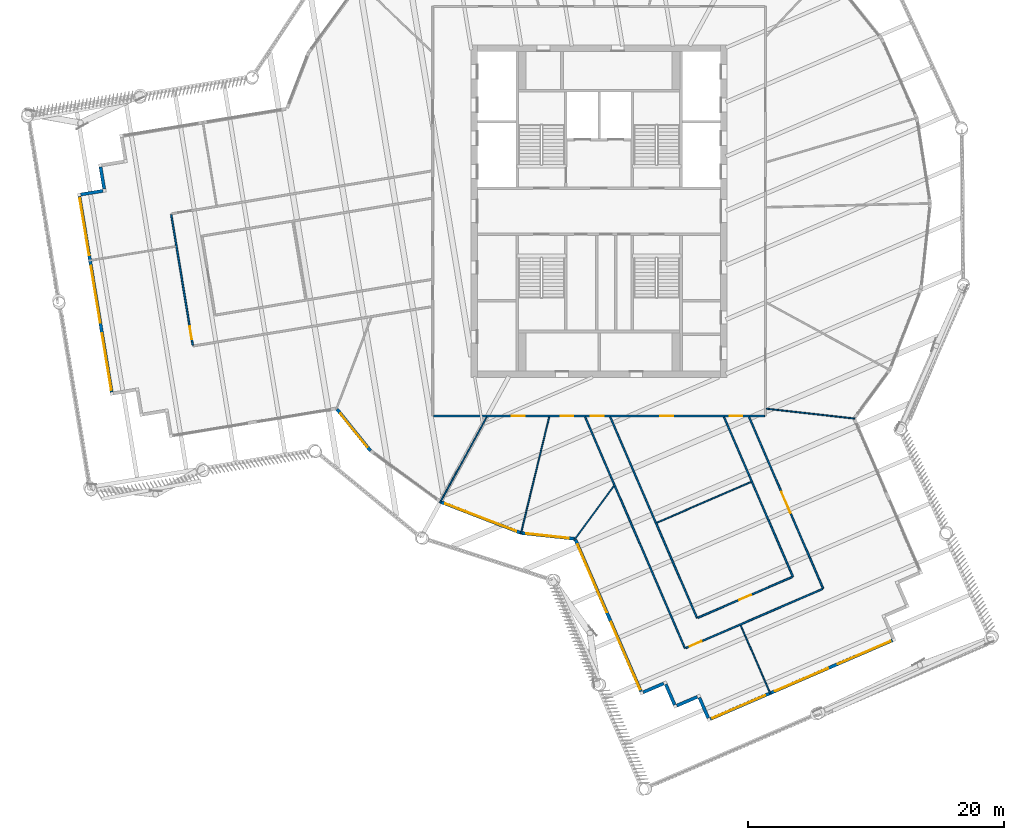
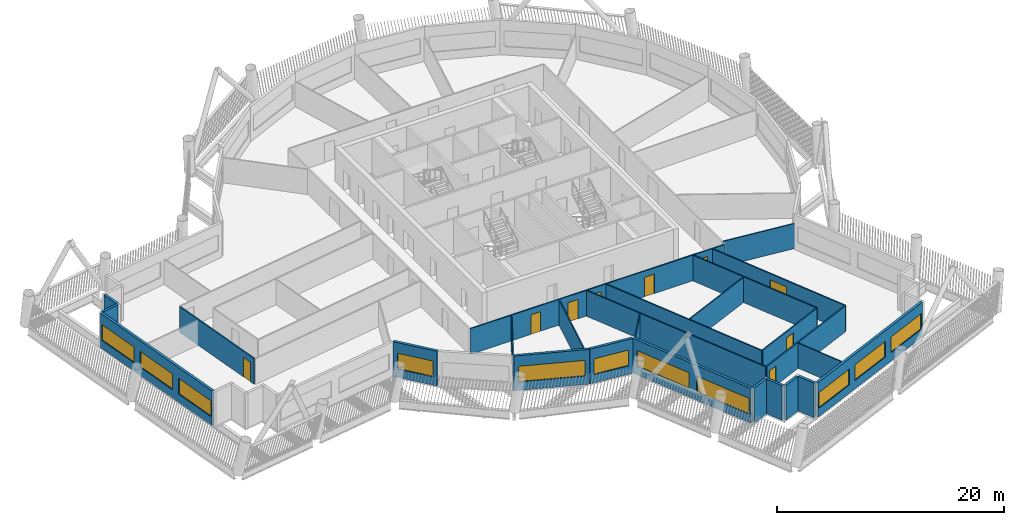
# One storey, part 3 of 23: 26 walls, 11 windows, 9 doors, 20 openings.
"""IFC4 building model written with IfcOpenShell, lengths in metres."""

from ifc_helpers import new_model, si_unit, direction, frame, frame_2d, origin, place, context, subcontext, project, spatial, rectangle, extrude, material, layer, layer_set, type_object, element, fill, save


model = new_model("IFC4")

# Units and contexts
model_context = context("Model", 3, precision=1e-05, world=origin(), true_north=direction((0.0, 1.0)))
body_context = subcontext(model_context, "Body", "Model", "MODEL_VIEW")
ifc_project = project(units=[si_unit("LENGTHUNIT", "METRE"), si_unit("AREAUNIT", "SQUARE_METRE"), si_unit("VOLUMEUNIT", "CUBIC_METRE"), si_unit("PLANEANGLEUNIT", "RADIAN"), si_unit("MASSUNIT", "GRAM", prefix="KILO")], contexts=[model_context])

# Site, building, storey
site_placement = place(None, origin())
site = spatial("IfcSite", under=ifc_project, at=site_placement, CompositionType="ELEMENT")
building_placement = place(site_placement, origin())
building = spatial("IfcBuilding", under=site, at=building_placement, Name="Tarsis Ring Headquarters", CompositionType="ELEMENT")
storey_placement = place(building_placement, frame((0.0, 0.0, 323.60009765625)))
storey = spatial("IfcBuildingStorey", under=building, at=storey_placement, Name="L76", CompositionType="ELEMENT", Elevation=323.60009765625)

# Walls
ifc_material_1 = material(Name="Gypsum board on steel studs", Category="steel")
ifc_layer_1 = layer(ifc_material_1, 0.10009765625)
ifc_layer_set_1 = layer_set([ifc_layer_1], Name="FL partition 100 unrated")
wall_type_1 = type_object("IfcWallType", Name="FL partition 100 unrated", PredefinedType="PARTITIONING", material=ifc_layer_set_1)
wall_1_placement = place(storey_placement, frame((-6.118896484375, -25.216064453125, 0.0), z_axis=(0.0, 0.0, 1.0), x_axis=(0.235804894507, 0.971800417641, 0.0)))
element("IfcWall", 1, at=wall_1_placement, inside=storey, type_object=wall_type_1, Name="Partition PW3", PredefinedType="PARTITIONING", context=body_context, shape_type="SweptSolid", body=[
    extrude(rectangle(XDim=9.413330078125, YDim=0.10009765625, at=frame_2d((4.70654296875, 0.0))), origin(), (0.0, 0.0, 1.0), 2.699951171875),
])
wall_2_placement = place(storey_placement, frame((4.509521484375, -24.3369140625, 0.0), z_axis=(0.0, 0.0, 1.0), x_axis=(0.918032889927, 0.39650424085, 0.0)))
element("IfcWall", 2, at=wall_2_placement, inside=storey, type_object=wall_type_1, Name="Partition PW3", PredefinedType="PARTITIONING", context=body_context, shape_type="SweptSolid", body=[
    extrude(rectangle(XDim=8.02001953125, YDim=0.10009765625, at=frame_2d((4.010009765625, 0.0))), origin(), (0.0, 0.0, 1.0), 2.699951171875),
])
wall_3_placement = place(storey_placement, frame((-12.43701171875, -22.773193359375, 0.0), z_axis=(0.0, 0.0, 1.0), x_axis=(0.479325254836, 0.877637339723, 0.0)))
element("IfcWall", 3, at=wall_3_placement, inside=storey, type_object=wall_type_1, Name="Partition PW3", PredefinedType="PARTITIONING", context=body_context, shape_type="SweptSolid", body=[
    extrude(rectangle(XDim=7.62744140625, YDim=0.10009765625, at=frame_2d((3.813720703125, 0.0))), origin(), (0.0, 0.0, 1.0), 2.699951171875),
])
wall_4_placement = place(storey_placement, frame((13.06982421875, -15.430419921875, 0.0), z_axis=(0.0, 0.0, 1.0), x_axis=(0.993787141533, -0.111297427304, 0.0)))
element("IfcWall", 4, at=wall_4_placement, inside=storey, type_object=wall_type_1, Name="Partition PW3", PredefinedType="PARTITIONING", context=body_context, shape_type="SweptSolid", body=[
    extrude(rectangle(XDim=6.96240234375, YDim=0.10009765625, at=frame_2d((3.481201171875, 0.0))), origin(), (0.0, 0.0, 1.0), 2.699951171875),
])
wall_5_placement = place(storey_placement, frame((11.06591796875, -32.3544921875, 0.0), z_axis=(0.0, 0.0, 1.0), x_axis=(0.396517420299, -0.918027197527, 0.0)))
element("IfcWall", 5, at=wall_5_placement, inside=storey, type_object=wall_type_1, Name="Partition PW3", PredefinedType="PARTITIONING", context=body_context, shape_type="SweptSolid", body=[
    extrude(rectangle(XDim=5.859619140625, YDim=0.10009765625, at=frame_2d((2.9296875, 0.0))), origin(), (0.0, 0.0, 1.0), 2.699951171875),
])
wall_6_placement = place(storey_placement, frame((-1.915283203125, -25.640380859375, 0.0), z_axis=(0.0, 0.0, 1.0), x_axis=(0.593260262579, 0.80501072095, 0.0)))
element("IfcWall", 6, at=wall_6_placement, inside=storey, type_object=wall_type_1, Name="Partition PW3", PredefinedType="PARTITIONING", context=body_context, shape_type="SweptSolid", body=[
    extrude(rectangle(XDim=5.168701171875, YDim=0.10009765625, at=frame_2d((2.58447265625, 0.0))), origin(), (0.0, 0.0, 1.0), 2.699951171875),
])

# Wall, openings, doors
ifc_layer_2 = layer(ifc_material_1, 0.125)
ifc_layer_set_2 = layer_set([ifc_layer_2], Name="FL partition 125 EI 60 H2770")
wall_type_2 = type_object("IfcWallType", Name="FL partition 125 EI 60 H2770", PredefinedType="PARTITIONING", material=ifc_layer_set_2)
wall_7_placement = place(storey_placement, frame((-12.93994140625, -16.0, 0.0), z_axis=(0.0, 0.0, 1.0), x_axis=(1.0, 0.0, 0.0)))
wall_7 = element("IfcWall", 7, at=wall_7_placement, inside=storey, type_object=wall_type_2, Name="Partition PW1", PredefinedType="PARTITIONING", context=body_context, shape_type="SweptSolid", body=[
    extrude(rectangle(XDim=25.8798828125, YDim=0.125, at=frame_2d((12.93994140625, 0.0))), origin(), (0.0, 0.0, 1.0), 2.77001953125),
])
opening_1_placement = place(wall_7_placement, frame((9.9345703125, 0.0, 0.0)))
opening_1 = element("IfcOpeningElement", 8, at=opening_1_placement, cuts=wall_7, Name="Opening D76.14", PredefinedType="OPENING", context=body_context, shape_type="SweptSolid", body=[
    extrude(rectangle(XDim=1.0, YDim=2.10009765625, at=frame_2d((0.5, 1.050048828125))), frame((0.0, 0.072509765625, 0.0), z_axis=(0.0, -1.0, 0.0), x_axis=(1.0, 0.0, 0.0)), (0.0, 0.0, 1.0), 0.14501953125),
])
opening_2_placement = place(wall_7_placement, frame((6.129638671875, 0.0, 0.0)))
opening_2 = element("IfcOpeningElement", 9, at=opening_2_placement, cuts=wall_7, Name="Opening D76.15", PredefinedType="OPENING", context=body_context, shape_type="SweptSolid", body=[
    extrude(rectangle(XDim=1.0, YDim=2.10009765625, at=frame_2d((0.5, 1.050048828125))), frame((0.0, 0.072509765625, 0.0), z_axis=(0.0, -1.0, 0.0), x_axis=(1.0, 0.0, 0.0)), (0.0, 0.0, 1.0), 0.14501953125),
])
opening_3_placement = place(wall_7_placement, frame((17.716552734375, 0.0, 0.0)))
opening_3 = element("IfcOpeningElement", 10, at=opening_3_placement, cuts=wall_7, Name="Opening D76.19", PredefinedType="OPENING", context=body_context, shape_type="SweptSolid", body=[
    extrude(rectangle(XDim=1.0, YDim=2.10009765625, at=frame_2d((0.5, 1.050048828125))), frame((0.0, 0.072509765625, 0.0), z_axis=(0.0, -1.0, 0.0), x_axis=(1.0, 0.0, 0.0)), (0.0, 0.0, 1.0), 0.14501953125),
])
opening_4_placement = place(wall_7_placement, frame((12.2919921875, 0.0, 0.0)))
opening_4 = element("IfcOpeningElement", 11, at=opening_4_placement, cuts=wall_7, Name="Opening D76.21", PredefinedType="OPENING", context=body_context, shape_type="SweptSolid", body=[
    extrude(rectangle(XDim=1.0, YDim=2.10009765625, at=frame_2d((0.5, 1.050048828125))), frame((0.0, 0.072509765625, 0.0), z_axis=(0.0, -1.0, 0.0), x_axis=(1.0, 0.0, 0.0)), (0.0, 0.0, 1.0), 0.14501953125),
])
opening_5_placement = place(wall_7_placement, frame((23.141357421875, 0.0, 0.0)))
opening_5 = element("IfcOpeningElement", 12, at=opening_5_placement, cuts=wall_7, Name="Opening D76.22", PredefinedType="OPENING", context=body_context, shape_type="SweptSolid", body=[
    extrude(rectangle(XDim=1.0, YDim=2.10009765625, at=frame_2d((0.5, 1.050048828125))), frame((0.0, 0.072509765625, 0.0), z_axis=(0.0, -1.0, 0.0), x_axis=(1.0, 0.0, 0.0)), (0.0, 0.0, 1.0), 0.14501953125),
])
ifc_material_2 = material(Name="Fire-rated timber door leaf in steel frame", Category="steel")
door_type_1 = type_object("IfcDoorType", Name="FL door FD60-1000", OperationType="NOTDEFINED", PredefinedType="DOOR", material=ifc_material_2)
door_1_placement = place(opening_1_placement, origin())
door_1 = element("IfcDoor", 13, at=door_1_placement, inside=storey, type_object=door_type_1, Name="Door D76.14", OperationType="SINGLE_SWING_RIGHT", OverallHeight=2.10009765625, OverallWidth=1.0, PredefinedType="DOOR", context=body_context, shape_type="SweptSolid", body=[
    extrude(rectangle(XDim=1.0, YDim=2.10009765625, at=frame_2d((0.5, 1.050048828125))), frame((0.0, 0.02490234375, 0.0), z_axis=(0.0, -1.0, 0.0), x_axis=(1.0, 0.0, 0.0)), (0.0, 0.0, 1.0), 0.050048828125),
])
fill(opening_1, door_1)
door_2_placement = place(opening_2_placement, origin())
door_2 = element("IfcDoor", 14, at=door_2_placement, inside=storey, type_object=door_type_1, Name="Door D76.15", OperationType="SINGLE_SWING_LEFT", OverallHeight=2.10009765625, OverallWidth=1.0, PredefinedType="DOOR", context=body_context, shape_type="SweptSolid", body=[
    extrude(rectangle(XDim=1.0, YDim=2.10009765625, at=frame_2d((0.5, 1.050048828125))), frame((0.0, 0.02490234375, 0.0), z_axis=(0.0, -1.0, 0.0), x_axis=(1.0, 0.0, 0.0)), (0.0, 0.0, 1.0), 0.050048828125),
])
fill(opening_2, door_2)
door_3_placement = place(opening_3_placement, origin())
door_3 = element("IfcDoor", 15, at=door_3_placement, inside=storey, type_object=door_type_1, Name="Door D76.19", OperationType="SINGLE_SWING_LEFT", OverallHeight=2.10009765625, OverallWidth=1.0, PredefinedType="DOOR", context=body_context, shape_type="SweptSolid", body=[
    extrude(rectangle(XDim=1.0, YDim=2.10009765625, at=frame_2d((0.5, 1.050048828125))), frame((0.0, 0.02490234375, 0.0), z_axis=(0.0, -1.0, 0.0), x_axis=(1.0, 0.0, 0.0)), (0.0, 0.0, 1.0), 0.050048828125),
])
fill(opening_3, door_3)
door_4_placement = place(opening_4_placement, origin())
door_4 = element("IfcDoor", 16, at=door_4_placement, inside=storey, type_object=door_type_1, Name="Door D76.21", OperationType="SINGLE_SWING_LEFT", OverallHeight=2.10009765625, OverallWidth=1.0, PredefinedType="DOOR", context=body_context, shape_type="SweptSolid", body=[
    extrude(rectangle(XDim=1.0, YDim=2.10009765625, at=frame_2d((0.5, 1.050048828125))), frame((0.0, 0.02490234375, 0.0), z_axis=(0.0, -1.0, 0.0), x_axis=(1.0, 0.0, 0.0)), (0.0, 0.0, 1.0), 0.050048828125),
])
fill(opening_4, door_4)
door_5_placement = place(opening_5_placement, origin())
door_5 = element("IfcDoor", 17, at=door_5_placement, inside=storey, type_object=door_type_1, Name="Door D76.22", OperationType="SINGLE_SWING_RIGHT", OverallHeight=2.10009765625, OverallWidth=1.0, PredefinedType="DOOR", context=body_context, shape_type="SweptSolid", body=[
    extrude(rectangle(XDim=1.0, YDim=2.10009765625, at=frame_2d((0.5, 1.050048828125))), frame((0.0, 0.02490234375, 0.0), z_axis=(0.0, -1.0, 0.0), x_axis=(1.0, 0.0, 0.0)), (0.0, 0.0, 1.0), 0.050048828125),
])
fill(opening_5, door_5)

# Walls
wall_8_placement = place(storey_placement, frame((-1.0927734375, -16.08251953125, 0.0), z_axis=(0.0, 0.0, 1.0), x_axis=(0.396508222147, -0.918031170369, 0.0)))
element("IfcWall", 18, at=wall_8_placement, inside=storey, type_object=wall_type_2, Name="Partition PW1", PredefinedType="PARTITIONING", context=body_context, shape_type="SweptSolid", body=[
    extrude(rectangle(XDim=19.68896484375, YDim=0.125, at=frame_2d((9.844482421875, 0.0))), origin(), (0.0, 0.0, 1.0), 2.77001953125),
])
wall_9_placement = place(storey_placement, frame((0.867919921875, -16.08251953125, 0.0), z_axis=(0.0, 0.0, 1.0), x_axis=(0.396509259642, -0.918030722263, 0.0)))
element("IfcWall", 19, at=wall_9_placement, inside=storey, type_object=wall_type_2, Name="Partition PW1", PredefinedType="PARTITIONING", context=body_context, shape_type="SweptSolid", body=[
    extrude(rectangle(XDim=17.111572265625, YDim=0.125, at=frame_2d((8.5556640625, 0.0))), origin(), (0.0, 0.0, 1.0), 2.77001953125),
])

# Wall, opening, door
wall_10_placement = place(storey_placement, frame((11.71728515625, -16.08251953125, 0.0), z_axis=(0.0, 0.0, 1.0), x_axis=(0.396501316871, -0.918034152807, 0.0)))
wall_10 = element("IfcWall", 20, at=wall_10_placement, inside=storey, type_object=wall_type_2, Name="Partition PW1", PredefinedType="PARTITIONING", context=body_context, shape_type="SweptSolid", body=[
    extrude(rectangle(XDim=14.609619140625, YDim=0.125, at=frame_2d((7.3046875, 0.0))), origin(), (0.0, 0.0, 1.0), 2.77001953125),
])
opening_6_placement = place(wall_10_placement, frame((6.35986328125, 0.0, 0.0)))
opening_6 = element("IfcOpeningElement", 21, at=opening_6_placement, cuts=wall_10, Name="Opening D76.12", PredefinedType="OPENING", context=body_context, shape_type="SweptSolid", body=[
    extrude(rectangle(XDim=1.800048828125, YDim=2.10009765625, at=frame_2d((0.89990234375, 1.050048828125))), frame((0.0, 0.072509765625, 0.0), z_axis=(0.0, -1.0, 0.0), x_axis=(1.0, 0.0, 0.0)), (0.0, 0.0, 1.0), 0.14501953125),
])
door_type_2 = type_object("IfcDoorType", Name="FL door FD60-1800", OperationType="DOUBLE_DOOR_SINGLE_SWING", PredefinedType="DOOR", material=ifc_material_2)
door_6_placement = place(opening_6_placement, origin())
door_6 = element("IfcDoor", 22, at=door_6_placement, inside=storey, type_object=door_type_2, Name="Door D76.12", OperationType="DOUBLE_DOOR_SINGLE_SWING", OverallHeight=2.10009765625, OverallWidth=1.800048828125, PredefinedType="DOOR", context=body_context, shape_type="SweptSolid", body=[
    extrude(rectangle(XDim=1.800048828125, YDim=2.10009765625, at=frame_2d((0.89990234375, 1.050048828125))), frame((0.0, 0.02490234375, 0.0), z_axis=(0.0, -1.0, 0.0), x_axis=(1.0, 0.0, 0.0)), (0.0, 0.0, 1.0), 0.050048828125),
])
fill(opening_6, door_6)

# Wall
wall_11_placement = place(storey_placement, frame((9.756591796875, -16.08251953125, 0.0), z_axis=(0.0, 0.0, 1.0), x_axis=(0.396511393582, -0.918029800584, 0.0)))
element("IfcWall", 23, at=wall_11_placement, inside=storey, type_object=wall_type_2, Name="Partition PW1", PredefinedType="PARTITIONING", context=body_context, shape_type="SweptSolid", body=[
    extrude(rectangle(XDim=13.587158203125, YDim=0.125, at=frame_2d((6.79345703125, 0.0))), origin(), (0.0, 0.0, 1.0), 2.77001953125),
])

# Wall, opening, door
wall_12_placement = place(storey_placement, frame((6.769287109375, -34.1337890625, 0.0), z_axis=(0.0, 0.0, 1.0), x_axis=(0.918033724622, 0.396502308261, 0.0)))
wall_12 = element("IfcWall", 24, at=wall_12_placement, inside=storey, type_object=wall_type_2, Name="Partition PW1", PredefinedType="PARTITIONING", context=body_context, shape_type="SweptSolid", body=[
    extrude(rectangle(XDim=11.639892578125, YDim=0.125, at=frame_2d((5.81982421875, 0.0))), origin(), (0.0, 0.0, 1.0), 2.77001953125),
])
opening_7_placement = place(wall_12_placement, frame((0.340087890625, 0.0, 0.0)))
opening_7 = element("IfcOpeningElement", 25, at=opening_7_placement, cuts=wall_12, Name="Opening D76.13", PredefinedType="OPENING", context=body_context, shape_type="SweptSolid", body=[
    extrude(rectangle(XDim=1.0, YDim=2.10009765625, at=frame_2d((0.5, 1.050048828125))), frame((0.0, 0.072509765625, 0.0), z_axis=(0.0, -1.0, 0.0), x_axis=(1.0, 0.0, 0.0)), (0.0, 0.0, 1.0), 0.14501953125),
])
door_7_placement = place(opening_7_placement, origin())
door_7 = element("IfcDoor", 26, at=door_7_placement, inside=storey, type_object=door_type_1, Name="Door D76.13", OperationType="SINGLE_SWING_LEFT", OverallHeight=2.10009765625, OverallWidth=1.0, PredefinedType="DOOR", context=body_context, shape_type="SweptSolid", body=[
    extrude(rectangle(XDim=1.0, YDim=2.10009765625, at=frame_2d((0.5, 1.050048828125))), frame((0.0, 0.02490234375, 0.0), z_axis=(0.0, -1.0, 0.0), x_axis=(1.0, 0.0, 0.0)), (0.0, 0.0, 1.0), 0.050048828125),
])
fill(opening_7, door_7)

wall_13_placement = place(storey_placement, frame((-33.43115234375, -0.270751953125, 0.0), z_axis=(0.0, 0.0, 1.0), x_axis=(0.162633630776, -0.986686526786, 0.0)))
wall_13 = element("IfcWall", 27, at=wall_13_placement, inside=storey, type_object=wall_type_2, Name="Partition PW1", PredefinedType="PARTITIONING", context=body_context, shape_type="SweptSolid", body=[
    extrude(rectangle(XDim=10.340087890625, YDim=0.125, at=frame_2d((5.169921875, 0.0))), origin(), (0.0, 0.0, 1.0), 2.77001953125),
])
opening_8_placement = place(wall_13_placement, frame((8.85009765625, 0.0, 0.0)))
opening_8 = element("IfcOpeningElement", 28, at=opening_8_placement, cuts=wall_13, Name="Opening D76.01", PredefinedType="OPENING", context=body_context, shape_type="SweptSolid", body=[
    extrude(rectangle(XDim=1.0, YDim=2.10009765625, at=frame_2d((0.5, 1.050048828125))), frame((0.0, 0.072509765625, 0.0), z_axis=(0.0, -1.0, 0.0), x_axis=(1.0, 0.0, 0.0)), (0.0, 0.0, 1.0), 0.14501953125),
])
door_8_placement = place(opening_8_placement, origin())
door_8 = element("IfcDoor", 29, at=door_8_placement, inside=storey, type_object=door_type_1, Name="Door D76.01", OperationType="SINGLE_SWING_LEFT", OverallHeight=2.10009765625, OverallWidth=1.0, PredefinedType="DOOR", context=body_context, shape_type="SweptSolid", body=[
    extrude(rectangle(XDim=1.0, YDim=2.10009765625, at=frame_2d((0.5, 1.050048828125))), frame((0.0, 0.02490234375, 0.0), z_axis=(0.0, -1.0, 0.0), x_axis=(1.0, 0.0, 0.0)), (0.0, 0.0, 1.0), 0.050048828125),
])
fill(opening_8, door_8)

wall_14_placement = place(storey_placement, frame((7.7080078125, -31.767578125, 0.0), z_axis=(0.0, 0.0, 1.0), x_axis=(0.918037233638, 0.396494183633, 0.0)))
wall_14 = element("IfcWall", 30, at=wall_14_placement, inside=storey, type_object=wall_type_2, Name="Partition PW1", PredefinedType="PARTITIONING", context=body_context, shape_type="SweptSolid", body=[
    extrude(rectangle(XDim=8.039794921875, YDim=0.125, at=frame_2d((4.02001953125, 0.0))), origin(), (0.0, 0.0, 1.0), 2.77001953125),
])
opening_9_placement = place(wall_14_placement, frame((3.52001953125, 0.0, 0.0)))
opening_9 = element("IfcOpeningElement", 31, at=opening_9_placement, cuts=wall_14, Name="Opening D76.20", PredefinedType="OPENING", context=body_context, shape_type="SweptSolid", body=[
    extrude(rectangle(XDim=1.0, YDim=2.10009765625, at=frame_2d((0.5, 1.050048828125))), frame((0.0, 0.072509765625, 0.0), z_axis=(0.0, -1.0, 0.0), x_axis=(1.0, 0.0, 0.0)), (0.0, 0.0, 1.0), 0.14501953125),
])
door_9_placement = place(opening_9_placement, origin())
door_9 = element("IfcDoor", 32, at=door_9_placement, inside=storey, type_object=door_type_1, Name="Door D76.20", OperationType="SINGLE_SWING_RIGHT", OverallHeight=2.10009765625, OverallWidth=1.0, PredefinedType="DOOR", context=body_context, shape_type="SweptSolid", body=[
    extrude(rectangle(XDim=1.0, YDim=2.10009765625, at=frame_2d((0.5, 1.050048828125))), frame((0.0, 0.02490234375, 0.0), z_axis=(0.0, -1.0, 0.0), x_axis=(1.0, 0.0, 0.0)), (0.0, 0.0, 1.0), 0.050048828125),
])
fill(opening_9, door_9)

# Wall, opening, window
ifc_material_3 = material(Name="Terracotta clad insulated panel wall", Category="masonry")
ifc_layer_3 = layer(ifc_material_3, 0.25)
ifc_layer_set_3 = layer_set([ifc_layer_3], Name="Facade wall terracotta panel 250")
wall_type_3 = type_object("IfcWallType", Name="Facade wall terracotta panel 250", PredefinedType="STANDARD", material=ifc_layer_set_3)
wall_15_placement = place(storey_placement, frame((-20.47509765625, -15.474365234375, 0.0), z_axis=(0.0, 0.0, 1.0), x_axis=(0.627419550341, -0.778681390461, 0.0)))
wall_15 = element("IfcWall", 33, at=wall_15_placement, inside=storey, type_object=wall_type_3, Name="External wall L76-02", PredefinedType="STANDARD", context=body_context, shape_type="SweptSolid", body=[
    extrude(rectangle(XDim=4.15771484375, YDim=0.25, at=frame_2d((2.078857421875, 0.0))), origin(), (0.0, 0.0, 1.0), 3.739990234375),
])
opening_10_placement = place(wall_15_placement, frame((0.420166015625, 0.0, 0.89990234375)))
opening_10 = element("IfcOpeningElement", 34, at=opening_10_placement, cuts=wall_15, Name="Opening WN01", PredefinedType="OPENING", context=body_context, shape_type="SweptSolid", body=[
    extrude(rectangle(XDim=3.35009765625, YDim=1.699951171875, at=frame_2d((1.675048828125, 0.85009765625))), frame((0.0, 0.135009765625, 0.0), z_axis=(0.0, -1.0, 0.0), x_axis=(1.0, 0.0, 0.0)), (0.0, 0.0, 1.0), 0.27001953125),
])
ifc_material_4 = material(Name="Aluminium framed double glazing", Category="aluminium")
window_type_1 = type_object("IfcWindowType", Name="Facade window 3350 x 1700", PartitioningType="SINGLE_PANEL", PredefinedType="WINDOW", material=ifc_material_4)
window_1_placement = place(opening_10_placement, origin())
window_1 = element("IfcWindow", 35, at=window_1_placement, inside=storey, type_object=window_type_1, Name="Window L76-02.1", OverallHeight=1.699951171875, OverallWidth=3.35009765625, PartitioningType="SINGLE_PANEL", PredefinedType="WINDOW", context=body_context, shape_type="SweptSolid", body=[
    extrude(rectangle(XDim=3.35009765625, YDim=1.699951171875, at=frame_2d((1.675048828125, 0.85009765625))), frame((0.0, 0.030029296875, 0.0), z_axis=(0.0, -1.0, 0.0), x_axis=(1.0, 0.0, 0.0)), (0.0, 0.0, 1.0), 0.06005859375),
])
fill(opening_10, window_1)

wall_16_placement = place(storey_placement, frame((-12.38623046875, -22.714111328125, 0.0), z_axis=(0.0, 0.0, 1.0), x_axis=(0.932705691466, -0.360638452064, 0.0)))
wall_16 = element("IfcWall", 36, at=wall_16_placement, inside=storey, type_object=wall_type_3, Name="External wall L76-04", PredefinedType="STANDARD", context=body_context, shape_type="SweptSolid", body=[
    extrude(rectangle(XDim=6.7216796875, YDim=0.25, at=frame_2d((3.36083984375, 0.0))), origin(), (0.0, 0.0, 1.0), 3.739990234375),
])
opening_11_placement = place(wall_16_placement, frame((0.3857421875, 0.0, 0.89990234375)))
opening_11 = element("IfcOpeningElement", 37, at=opening_11_placement, cuts=wall_16, Name="Opening WN07", PredefinedType="OPENING", context=body_context, shape_type="SweptSolid", body=[
    extrude(rectangle(XDim=5.949951171875, YDim=1.699951171875, at=frame_2d((2.97509765625, 0.85009765625))), frame((0.0, 0.135009765625, 0.0), z_axis=(0.0, -1.0, 0.0), x_axis=(1.0, 0.0, 0.0)), (0.0, 0.0, 1.0), 0.27001953125),
])
window_type_2 = type_object("IfcWindowType", Name="Facade window 5950 x 1700", PartitioningType="SINGLE_PANEL", PredefinedType="WINDOW", material=ifc_material_4)
window_2_placement = place(opening_11_placement, origin())
window_2 = element("IfcWindow", 38, at=window_2_placement, inside=storey, type_object=window_type_2, Name="Window L76-04.1", OverallHeight=1.699951171875, OverallWidth=5.949951171875, PartitioningType="SINGLE_PANEL", PredefinedType="WINDOW", context=body_context, shape_type="SweptSolid", body=[
    extrude(rectangle(XDim=5.949951171875, YDim=1.699951171875, at=frame_2d((2.97509765625, 0.85009765625))), frame((0.0, 0.030029296875, 0.0), z_axis=(0.0, -1.0, 0.0), x_axis=(1.0, 0.0, 0.0)), (0.0, 0.0, 1.0), 0.06005859375),
])
fill(opening_11, window_2)

wall_17_placement = place(storey_placement, frame((-6.085205078125, -25.14599609375, 0.0), z_axis=(0.0, 0.0, 1.0), x_axis=(0.994265750303, -0.106937447954, 0.0)))
wall_17 = element("IfcWall", 39, at=wall_17_placement, inside=storey, type_object=wall_type_3, Name="External wall L76-05", PredefinedType="STANDARD", context=body_context, shape_type="SweptSolid", body=[
    extrude(rectangle(XDim=4.157470703125, YDim=0.25, at=frame_2d((2.07861328125, 0.0))), origin(), (0.0, 0.0, 1.0), 3.739990234375),
])
opening_12_placement = place(wall_17_placement, frame((0.38720703125, 0.0, 0.89990234375)))
opening_12 = element("IfcOpeningElement", 40, at=opening_12_placement, cuts=wall_17, Name="Opening WN01", PredefinedType="OPENING", context=body_context, shape_type="SweptSolid", body=[
    extrude(rectangle(XDim=3.35009765625, YDim=1.699951171875, at=frame_2d((1.675048828125, 0.85009765625))), frame((0.0, 0.135009765625, 0.0), z_axis=(0.0, -1.0, 0.0), x_axis=(1.0, 0.0, 0.0)), (0.0, 0.0, 1.0), 0.27001953125),
])
window_3_placement = place(opening_12_placement, origin())
window_3 = element("IfcWindow", 41, at=window_3_placement, inside=storey, type_object=window_type_1, Name="Window L76-05.1", OverallHeight=1.699951171875, OverallWidth=3.35009765625, PartitioningType="SINGLE_PANEL", PredefinedType="WINDOW", context=body_context, shape_type="SweptSolid", body=[
    extrude(rectangle(XDim=3.35009765625, YDim=1.699951171875, at=frame_2d((1.675048828125, 0.85009765625))), frame((0.0, 0.030029296875, 0.0), z_axis=(0.0, -1.0, 0.0), x_axis=(1.0, 0.0, 0.0)), (0.0, 0.0, 1.0), 0.06005859375),
])
fill(opening_12, window_3)

# Wall, openings, windows
wall_18_placement = place(storey_placement, frame((-1.85009765625, -25.665283203125, 0.0), z_axis=(0.0, 0.0, 1.0), x_axis=(0.396498988216, -0.918035158555, 0.0)))
wall_18 = element("IfcWall", 42, at=wall_18_placement, inside=storey, type_object=wall_type_3, Name="External wall L76-06", PredefinedType="STANDARD", context=body_context, shape_type="SweptSolid", body=[
    extrude(rectangle(XDim=12.921875, YDim=0.25, at=frame_2d((6.4609375, 0.0))), origin(), (0.0, 0.0, 1.0), 3.739990234375),
])
opening_13_placement = place(wall_18_placement, frame((0.41796875, 0.0, 0.89990234375)))
opening_13 = element("IfcOpeningElement", 43, at=opening_13_placement, cuts=wall_18, Name="Opening WN06", PredefinedType="OPENING", context=body_context, shape_type="SweptSolid", body=[
    extrude(rectangle(XDim=5.75, YDim=1.699951171875, at=frame_2d((2.875, 0.85009765625))), frame((0.0, 0.135009765625, 0.0), z_axis=(0.0, -1.0, 0.0), x_axis=(1.0, 0.0, 0.0)), (0.0, 0.0, 1.0), 0.27001953125),
])
opening_14_placement = place(wall_18_placement, frame((7.00390625, 0.0, 0.89990234375)))
opening_14 = element("IfcOpeningElement", 44, at=opening_14_placement, cuts=wall_18, Name="Opening WN06", PredefinedType="OPENING", context=body_context, shape_type="SweptSolid", body=[
    extrude(rectangle(XDim=5.75, YDim=1.699951171875, at=frame_2d((2.875, 0.85009765625))), frame((0.0, 0.135009765625, 0.0), z_axis=(0.0, -1.0, 0.0), x_axis=(1.0, 0.0, 0.0)), (0.0, 0.0, 1.0), 0.27001953125),
])
window_type_3 = type_object("IfcWindowType", Name="Facade window 5750 x 1700", PartitioningType="SINGLE_PANEL", PredefinedType="WINDOW", material=ifc_material_4)
window_4_placement = place(opening_13_placement, origin())
window_4 = element("IfcWindow", 45, at=window_4_placement, inside=storey, type_object=window_type_3, Name="Window L76-06.1", OverallHeight=1.699951171875, OverallWidth=5.75, PartitioningType="SINGLE_PANEL", PredefinedType="WINDOW", context=body_context, shape_type="SweptSolid", body=[
    extrude(rectangle(XDim=5.75, YDim=1.699951171875, at=frame_2d((2.875, 0.85009765625))), frame((0.0, 0.030029296875, 0.0), z_axis=(0.0, -1.0, 0.0), x_axis=(1.0, 0.0, 0.0)), (0.0, 0.0, 1.0), 0.06005859375),
])
fill(opening_13, window_4)
window_5_placement = place(opening_14_placement, origin())
window_5 = element("IfcWindow", 46, at=window_5_placement, inside=storey, type_object=window_type_3, Name="Window L76-06.2", OverallHeight=1.699951171875, OverallWidth=5.75, PartitioningType="SINGLE_PANEL", PredefinedType="WINDOW", context=body_context, shape_type="SweptSolid", body=[
    extrude(rectangle(XDim=5.75, YDim=1.699951171875, at=frame_2d((2.875, 0.85009765625))), frame((0.0, 0.030029296875, 0.0), z_axis=(0.0, -1.0, 0.0), x_axis=(1.0, 0.0, 0.0)), (0.0, 0.0, 1.0), 0.06005859375),
])
fill(opening_14, window_5)

# Walls
for number, where, z_axis, x_axis, name in (
    (47, (3.437744140625, -37.59326171875, 0.0), (0.0, 0.0, 1.0), (0.918051968126, 0.396460065858, 0.0), "External wall L76-07"),
    (48, (5.208740234375, -36.964599609375, 0.0), (0.0, 0.0, 1.0), (0.396460065858, -0.918051968126, 0.0), "External wall L76-08"),
    (49, (6.06689453125, -38.636474609375, 0.0), (0.0, 0.0, 1.0), (0.918030037163, 0.396510845838, 0.0), "External wall L76-09"),
    (50, (7.837890625, -38.0078125, 0.0), (0.0, 0.0, 1.0), (0.396510845838, -0.918030037163, 0.0), "External wall L76-10"),
):
    element("IfcWall", number, at=place(storey_placement, frame(where, z_axis=z_axis, x_axis=x_axis)), inside=storey, type_object=wall_type_3, Name=name, PredefinedType="STANDARD", context=body_context, shape_type="SweptSolid", body=[
        extrude(rectangle(XDim=1.75, YDim=0.25, at=frame_2d((0.875, 0.0))), origin(), (0.0, 0.0, 1.0), 3.739990234375),
    ])

# Wall, openings, windows
wall_19_placement = place(storey_placement, frame((8.696044921875, -39.679443359375, 0.0), z_axis=(0.0, 0.0, 1.0), x_axis=(0.918034209164, 0.396501186385, 0.0)))
wall_19 = element("IfcWall", 51, at=wall_19_placement, inside=storey, type_object=wall_type_3, Name="External wall L76-11", PredefinedType="STANDARD", context=body_context, shape_type="SweptSolid", body=[
    extrude(rectangle(XDim=15.5, YDim=0.25, at=frame_2d((7.75, 0.0))), origin(), (0.0, 0.0, 1.0), 3.739990234375),
])
opening_15_placement = place(wall_19_placement, frame((0.166748046875, 0.0, 0.89990234375)))
opening_15 = element("IfcOpeningElement", 52, at=opening_15_placement, cuts=wall_19, Name="Opening WN04", PredefinedType="OPENING", context=body_context, shape_type="SweptSolid", body=[
    extrude(rectangle(XDim=4.5, YDim=1.699951171875, at=frame_2d((2.25, 0.85009765625))), frame((0.0, 0.135009765625, 0.0), z_axis=(0.0, -1.0, 0.0), x_axis=(1.0, 0.0, 0.0)), (0.0, 0.0, 1.0), 0.27001953125),
])
opening_16_placement = place(wall_19_placement, frame((5.5, 0.0, 0.89990234375)))
opening_16 = element("IfcOpeningElement", 53, at=opening_16_placement, cuts=wall_19, Name="Opening WN04", PredefinedType="OPENING", context=body_context, shape_type="SweptSolid", body=[
    extrude(rectangle(XDim=4.5, YDim=1.699951171875, at=frame_2d((2.25, 0.85009765625))), frame((0.0, 0.135009765625, 0.0), z_axis=(0.0, -1.0, 0.0), x_axis=(1.0, 0.0, 0.0)), (0.0, 0.0, 1.0), 0.27001953125),
])
opening_17_placement = place(wall_19_placement, frame((10.833251953125, 0.0, 0.89990234375)))
opening_17 = element("IfcOpeningElement", 54, at=opening_17_placement, cuts=wall_19, Name="Opening WN04", PredefinedType="OPENING", context=body_context, shape_type="SweptSolid", body=[
    extrude(rectangle(XDim=4.5, YDim=1.699951171875, at=frame_2d((2.25, 0.85009765625))), frame((0.0, 0.135009765625, 0.0), z_axis=(0.0, -1.0, 0.0), x_axis=(1.0, 0.0, 0.0)), (0.0, 0.0, 1.0), 0.27001953125),
])
window_type_4 = type_object("IfcWindowType", Name="Facade window 4500 x 1700", PartitioningType="SINGLE_PANEL", PredefinedType="WINDOW", material=ifc_material_4)
window_6_placement = place(opening_15_placement, origin())
window_6 = element("IfcWindow", 55, at=window_6_placement, inside=storey, type_object=window_type_4, Name="Window L76-11.1", OverallHeight=1.699951171875, OverallWidth=4.5, PartitioningType="SINGLE_PANEL", PredefinedType="WINDOW", context=body_context, shape_type="SweptSolid", body=[
    extrude(rectangle(XDim=4.5, YDim=1.699951171875, at=frame_2d((2.25, 0.85009765625))), frame((0.0, 0.030029296875, 0.0), z_axis=(0.0, -1.0, 0.0), x_axis=(1.0, 0.0, 0.0)), (0.0, 0.0, 1.0), 0.06005859375),
])
fill(opening_15, window_6)
window_7_placement = place(opening_16_placement, origin())
window_7 = element("IfcWindow", 56, at=window_7_placement, inside=storey, type_object=window_type_4, Name="Window L76-11.2", OverallHeight=1.699951171875, OverallWidth=4.5, PartitioningType="SINGLE_PANEL", PredefinedType="WINDOW", context=body_context, shape_type="SweptSolid", body=[
    extrude(rectangle(XDim=4.5, YDim=1.699951171875, at=frame_2d((2.25, 0.85009765625))), frame((0.0, 0.030029296875, 0.0), z_axis=(0.0, -1.0, 0.0), x_axis=(1.0, 0.0, 0.0)), (0.0, 0.0, 1.0), 0.06005859375),
])
fill(opening_16, window_7)
window_8_placement = place(opening_17_placement, origin())
window_8 = element("IfcWindow", 57, at=window_8_placement, inside=storey, type_object=window_type_4, Name="Window L76-11.3", OverallHeight=1.699951171875, OverallWidth=4.5, PartitioningType="SINGLE_PANEL", PredefinedType="WINDOW", context=body_context, shape_type="SweptSolid", body=[
    extrude(rectangle(XDim=4.5, YDim=1.699951171875, at=frame_2d((2.25, 0.85009765625))), frame((0.0, 0.030029296875, 0.0), z_axis=(0.0, -1.0, 0.0), x_axis=(1.0, 0.0, 0.0)), (0.0, 0.0, 1.0), 0.06005859375),
])
fill(opening_17, window_8)

# Walls
for number, where, z_axis, x_axis, name in (
    (58, (-38.95654296875, 3.460205078125, 0.0), (0.0, 0.0, 1.0), (0.162679259007, -0.986679004889, 0.0), "External wall L76-34"),
    (59, (-38.77490234375, 1.58984375, 0.0), (0.0, 0.0, 1.0), (-0.986701390565, -0.162543427603, 0.0), "External wall L76-35"),
):
    element("IfcWall", number, at=place(storey_placement, frame(where, z_axis=z_axis, x_axis=x_axis)), inside=storey, type_object=wall_type_3, Name=name, PredefinedType="STANDARD", context=body_context, shape_type="SweptSolid", body=[
        extrude(rectangle(XDim=1.749755859375, YDim=0.25, at=frame_2d((0.875, 0.0))), origin(), (0.0, 0.0, 1.0), 3.739990234375),
    ])

# Wall, openings, windows
wall_20_placement = place(storey_placement, frame((-40.6044921875, 1.16162109375, 0.0), z_axis=(0.0, 0.0, 1.0), x_axis=(0.162628655339, -0.986687346865, 0.0)))
wall_20 = element("IfcWall", 60, at=wall_20_placement, inside=storey, type_object=wall_type_3, Name="External wall L76-36", PredefinedType="STANDARD", context=body_context, shape_type="SweptSolid", body=[
    extrude(rectangle(XDim=15.5, YDim=0.25, at=frame_2d((7.75, 0.0))), origin(), (0.0, 0.0, 1.0), 3.739990234375),
])
opening_18_placement = place(wall_20_placement, frame((0.166748046875, 0.0, 0.89990234375)))
opening_18 = element("IfcOpeningElement", 61, at=opening_18_placement, cuts=wall_20, Name="Opening WN04", PredefinedType="OPENING", context=body_context, shape_type="SweptSolid", body=[
    extrude(rectangle(XDim=4.5, YDim=1.699951171875, at=frame_2d((2.25, 0.85009765625))), frame((0.0, 0.135009765625, 0.0), z_axis=(0.0, -1.0, 0.0), x_axis=(1.0, 0.0, 0.0)), (0.0, 0.0, 1.0), 0.27001953125),
])
opening_19_placement = place(wall_20_placement, frame((5.5, 0.0, 0.89990234375)))
opening_19 = element("IfcOpeningElement", 62, at=opening_19_placement, cuts=wall_20, Name="Opening WN04", PredefinedType="OPENING", context=body_context, shape_type="SweptSolid", body=[
    extrude(rectangle(XDim=4.5, YDim=1.699951171875, at=frame_2d((2.25, 0.85009765625))), frame((0.0, 0.135009765625, 0.0), z_axis=(0.0, -1.0, 0.0), x_axis=(1.0, 0.0, 0.0)), (0.0, 0.0, 1.0), 0.27001953125),
])
opening_20_placement = place(wall_20_placement, frame((10.833251953125, 0.0, 0.89990234375)))
opening_20 = element("IfcOpeningElement", 63, at=opening_20_placement, cuts=wall_20, Name="Opening WN04", PredefinedType="OPENING", context=body_context, shape_type="SweptSolid", body=[
    extrude(rectangle(XDim=4.5, YDim=1.699951171875, at=frame_2d((2.25, 0.85009765625))), frame((0.0, 0.135009765625, 0.0), z_axis=(0.0, -1.0, 0.0), x_axis=(1.0, 0.0, 0.0)), (0.0, 0.0, 1.0), 0.27001953125),
])
window_9_placement = place(opening_18_placement, origin())
window_9 = element("IfcWindow", 64, at=window_9_placement, inside=storey, type_object=window_type_4, Name="Window L76-36.1", OverallHeight=1.699951171875, OverallWidth=4.5, PartitioningType="SINGLE_PANEL", PredefinedType="WINDOW", context=body_context, shape_type="SweptSolid", body=[
    extrude(rectangle(XDim=4.5, YDim=1.699951171875, at=frame_2d((2.25, 0.85009765625))), frame((0.0, 0.030029296875, 0.0), z_axis=(0.0, -1.0, 0.0), x_axis=(1.0, 0.0, 0.0)), (0.0, 0.0, 1.0), 0.06005859375),
])
fill(opening_18, window_9)
window_10_placement = place(opening_19_placement, origin())
window_10 = element("IfcWindow", 65, at=window_10_placement, inside=storey, type_object=window_type_4, Name="Window L76-36.2", OverallHeight=1.699951171875, OverallWidth=4.5, PartitioningType="SINGLE_PANEL", PredefinedType="WINDOW", context=body_context, shape_type="SweptSolid", body=[
    extrude(rectangle(XDim=4.5, YDim=1.699951171875, at=frame_2d((2.25, 0.85009765625))), frame((0.0, 0.030029296875, 0.0), z_axis=(0.0, -1.0, 0.0), x_axis=(1.0, 0.0, 0.0)), (0.0, 0.0, 1.0), 0.06005859375),
])
fill(opening_19, window_10)
window_11_placement = place(opening_20_placement, origin())
window_11 = element("IfcWindow", 66, at=window_11_placement, inside=storey, type_object=window_type_4, Name="Window L76-36.3", OverallHeight=1.699951171875, OverallWidth=4.5, PartitioningType="SINGLE_PANEL", PredefinedType="WINDOW", context=body_context, shape_type="SweptSolid", body=[
    extrude(rectangle(XDim=4.5, YDim=1.699951171875, at=frame_2d((2.25, 0.85009765625))), frame((0.0, 0.030029296875, 0.0), z_axis=(0.0, -1.0, 0.0), x_axis=(1.0, 0.0, 0.0)), (0.0, 0.0, 1.0), 0.06005859375),
])
fill(opening_20, window_11)

save(model, "model.ifc")
